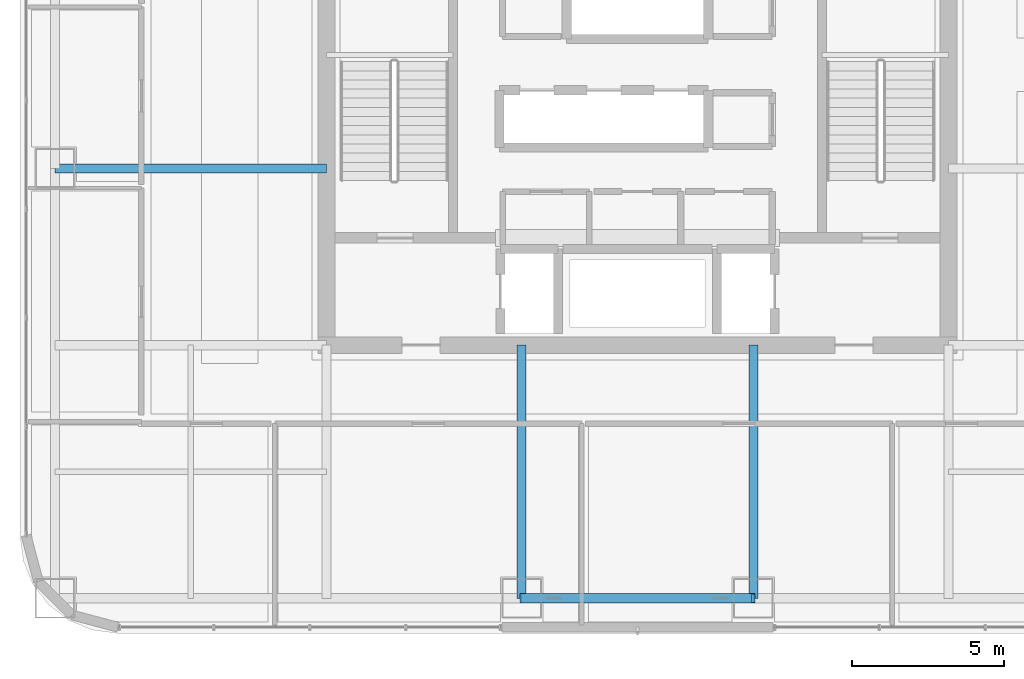
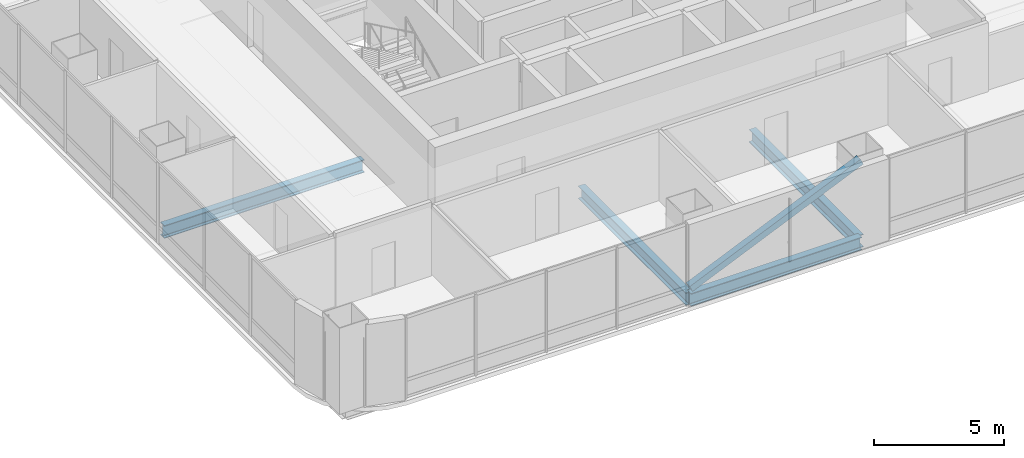
# One storey, part 5 of 44: 4 beams, 1 member.
"""IFC4 building model written with IfcOpenShell, lengths in metres."""

import ifcopenshell
import ifcopenshell.guid

model = None  # the IFC model being written
_history = None  # IfcOwnerHistory: only IFC2X3 demands one
_inside = {}  # id of a spatial element -> (the spatial element, [elements in it])
_under = {}  # id of a project, library or spatial element -> (it, [spatial elements below it])
_declared = {}  # id of a project -> (the project, [libraries it declares])
_typed = {}  # id of a type object -> (the type object, [elements of that type])
_made_of = {}  # id of a material, layer set ... -> (it, [elements and type objects made of it])


def new_model(schema):
    """Start an empty IFC model of exactly this schema.

    Asked for "IFC4X3", IfcOpenShell would pick the latest addendum, in which some entities
    have other attributes; the version numbers below select the first issue.
    IFC2X3 requires an IfcOwnerHistory on every rooted entity: one is made here for all.
    """
    global model, _history
    if schema == "IFC4X3":
        model = ifcopenshell.file(schema_version=(4, 3, 0, 0))
    else:
        model = ifcopenshell.file(schema=schema)
    _inside.clear()
    _under.clear()
    _declared.clear()
    _typed.clear()
    _made_of.clear()
    _history = None
    if model.schema == "IFC2X3":
        org = make("IfcOrganization", Name="unknown")
        user = make(
            "IfcPersonAndOrganization",
            ThePerson=make("IfcPerson", FamilyName="unknown"),
            TheOrganization=org,
        )
        app = make(
            "IfcApplication",
            ApplicationDeveloper=org,
            Version="unknown",
            ApplicationFullName="unknown",
            ApplicationIdentifier="unknown",
        )
        _history = make(
            "IfcOwnerHistory",
            OwningUser=user,
            OwningApplication=app,
            ChangeAction="ADDED",
            CreationDate=0,
        )
    return model


def make(cls, **values):
    """One entity of the class cls with the attributes given. An attribute that is None is left unset."""
    return model.create_entity(
        cls, **{name: value for name, value in values.items() if value is not None}
    )


def rooted(cls, **values):
    """An entity with a GlobalId (a new one), such as an element, a storey or a relation."""
    return make(cls, GlobalId=ifcopenshell.guid.new(), OwnerHistory=_history, **values)


def si_unit(unit_type, name, prefix=None):
    """IfcSIUnit, for example si_unit("LENGTHUNIT", "METRE", prefix="MILLI")."""
    return make("IfcSIUnit", UnitType=unit_type, Prefix=prefix, Name=name)


def assignment(units):
    """IfcUnitAssignment: the units of a project."""
    return None if units is None else make("IfcUnitAssignment", Units=units)


def point(xyz):
    """IfcCartesianPoint."""
    return None if xyz is None else make("IfcCartesianPoint", Coordinates=xyz)


def direction(xyz):
    """IfcDirection."""
    return None if xyz is None else make("IfcDirection", DirectionRatios=xyz)


def frame(location, z_axis=None, x_axis=None):
    """IfcAxis2Placement3D, a coordinate frame: its origin and axes. An axis left out is left unset."""
    return make(
        "IfcAxis2Placement3D",
        Location=point(location),
        Axis=direction(z_axis),
        RefDirection=direction(x_axis),
    )


def frame_2d(location, x_axis=None):
    """IfcAxis2Placement2D, a coordinate frame in the plane: its origin and x axis."""
    return make(
        "IfcAxis2Placement2D", Location=point(location), RefDirection=direction(x_axis)
    )


def origin():
    """The frame at (0, 0, 0) with its axes left unset."""
    return frame((0.0, 0.0, 0.0))


def origin_2d():
    """The frame at (0, 0) in the plane with its x axis left unset."""
    return frame_2d((0.0, 0.0))


def place(relative_to, where):
    """IfcLocalPlacement: puts the frame where relative to a parent placement (None: the world)."""
    return make(
        "IfcLocalPlacement", PlacementRelTo=relative_to, RelativePlacement=where
    )


def context(
    kind, dimensions, precision=None, world=None, true_north=None, identifier=None
):
    """IfcGeometricRepresentationContext, for example the 3D "Model" context."""
    return make(
        "IfcGeometricRepresentationContext",
        ContextIdentifier=identifier,
        ContextType=kind,
        CoordinateSpaceDimension=dimensions,
        Precision=precision,
        WorldCoordinateSystem=world,
        TrueNorth=true_north,
    )


def subcontext(parent, identifier, kind, view, scale=None):
    """IfcGeometricRepresentationSubContext, for example "Body" below "Model"."""
    return make(
        "IfcGeometricRepresentationSubContext",
        ContextIdentifier=identifier,
        ContextType=kind,
        ParentContext=parent,
        TargetScale=scale,
        TargetView=view,
    )


def project(units=None, contexts=None):
    """IfcProject with its units and contexts."""
    return rooted(
        "IfcProject",
        Name="project",
        RepresentationContexts=contexts,
        UnitsInContext=assignment(units),
    )


def spatial(cls, under=None, at=None, **own):
    """A site, building, storey or space (cls), placed at a placement, below another one or the project."""
    s = rooted(cls, ObjectPlacement=at, **own)
    if under is not None:
        _under.setdefault(under.id(), (under, []))[1].append(s)
    return s


def profile(cls, at=None, kind="AREA", **sizes):
    """A parametric profile (cls). Its sizes go by their IFC names, for example OverallWidth=200.0."""
    return make(cls, ProfileType=kind, Position=at, **sizes)


def hollow_rectangle(**sizes):
    """IfcRectangleHollowProfileDef."""
    return profile("IfcRectangleHollowProfileDef", **sizes)


def i_section(**sizes):
    """IfcIShapeProfileDef."""
    return profile("IfcIShapeProfileDef", **sizes)


def extrude(swept, where, along, depth):
    """IfcExtrudedAreaSolid: the profile swept, set in the frame where, extruded along a direction by depth."""
    return make(
        "IfcExtrudedAreaSolid",
        SweptArea=swept,
        Position=where,
        ExtrudedDirection=direction(along),
        Depth=depth,
    )


def shape(context_of_items, identifier, shape_type, items):
    """IfcShapeRepresentation: the items that make up one representation, for example the "Body"."""
    return make(
        "IfcShapeRepresentation",
        ContextOfItems=context_of_items,
        RepresentationIdentifier=identifier,
        RepresentationType=shape_type,
        Items=items,
    )


def material(Name=None, Category=None):
    """IfcMaterial."""
    return make("IfcMaterial", Name=Name, Category=Category)


def material_profile(
    of_material, cross_section, Name=None, Category=None, Priority=None
):
    """IfcMaterialProfile: a cross section and its material."""
    return make(
        "IfcMaterialProfile",
        Name=Name,
        Material=of_material,
        Profile=cross_section,
        Priority=Priority,
        Category=Category,
    )


def profile_set(profiles, Name=None, composite=None):
    """IfcMaterialProfileSet."""
    return make(
        "IfcMaterialProfileSet",
        Name=Name,
        MaterialProfiles=profiles,
        CompositeProfile=composite,
    )


def made_of(thing, what):
    """Note that an element or type object is made of a material, layer set ...; save() writes the relation."""
    if what is not None:
        _made_of.setdefault(what.id(), (what, []))[1].append(thing)
    return thing


def type_object(cls, material=None, **own):
    """A type object (cls), such as IfcWallType, which elements share."""
    return made_of(rooted(cls, **own), material)


def element(
    cls,
    number,
    at=None,
    inside=None,
    cuts=None,
    type_object=None,
    material=None,
    context=None,
    identifier="Body",
    shape_type=None,
    held_by="IfcProductDefinitionShape",
    body=None,
    shapes=None,
    **own,
):
    """One element of the class cls, such as IfcWall. Its Tag is "e" and its number.

    at: its placement. inside: the storey or other place that contains it. cuts: it is an
    opening in that element (IfcRelVoidsElement). A single representation is given by context,
    identifier, shape_type and body (its items); several are given by shapes. held_by: the class
    of the entity that holds the representations. save() writes the other relations.
    """
    e = rooted(cls, Tag="e%d" % number, ObjectPlacement=at, **own)
    if body is not None:
        shapes = [shape(context, identifier, shape_type, body)]
    if shapes is not None:
        e.Representation = make(held_by, Representations=shapes)
    if inside is not None:
        _inside.setdefault(inside.id(), (inside, []))[1].append(e)
    if cuts is not None:
        rooted(
            "IfcRelVoidsElement", RelatingBuildingElement=cuts, RelatedOpeningElement=e
        )
    if type_object is not None:
        _typed.setdefault(type_object.id(), (type_object, []))[1].append(e)
    return made_of(e, material)


def aggregate(whole, parts):
    """IfcRelAggregates: a whole, such as a stair, and the parts it consists of."""
    return rooted("IfcRelAggregates", RelatingObject=whole, RelatedObjects=parts)


def save(model, path):
    """Write the relations noted so far, then the file.

    IfcRelAggregates (storeys below a building ...), IfcRelContainedInSpatialStructure (elements
    in a storey), IfcRelDefinesByType, IfcRelAssociatesMaterial and IfcRelDeclares: one each for
    every whole, place, type object, material and project.
    """
    for whole, parts in _under.values():
        aggregate(whole, parts)
    for where, things in _inside.values():
        rooted(
            "IfcRelContainedInSpatialStructure",
            RelatedElements=things,
            RelatingStructure=where,
        )
    for kind, things in _typed.values():
        rooted("IfcRelDefinesByType", RelatedObjects=things, RelatingType=kind)
    for what, things in _made_of.values():
        rooted("IfcRelAssociatesMaterial", RelatedObjects=things, RelatingMaterial=what)
    for by, libraries in _declared.values():
        rooted("IfcRelDeclares", RelatingContext=by, RelatedDefinitions=libraries)
    model.write(path)


model = new_model("IFC4")

# Units and contexts
model_context = context("Model", 3, precision=1e-05, world=origin(), true_north=direction((0.0, 1.0)))
body_context = subcontext(model_context, "Body", "Model", "MODEL_VIEW")
ifc_project = project(units=[si_unit("LENGTHUNIT", "METRE"), si_unit("AREAUNIT", "SQUARE_METRE"), si_unit("VOLUMEUNIT", "CUBIC_METRE"), si_unit("PLANEANGLEUNIT", "RADIAN"), si_unit("MASSUNIT", "GRAM", prefix="KILO")], contexts=[model_context])

# Site, building, storey
site_placement = place(None, origin())
site = spatial("IfcSite", under=ifc_project, at=site_placement, CompositionType="ELEMENT")
building_placement = place(site_placement, origin())
building = spatial("IfcBuilding", under=site, at=building_placement, Name="Punatoya Terracotta Tower", CompositionType="ELEMENT")
storey_placement = place(building_placement, frame((0.0, 0.0, 267.60009765625)))
storey = spatial("IfcBuildingStorey", under=building, at=storey_placement, Name="L63", CompositionType="ELEMENT", Elevation=267.60009765625)

# Beams
ifc_material = material(Name="Steel S355", Category="steel")
ifc_material_profile_1 = material_profile(ifc_material, i_section(OverallWidth=0.300048828125, OverallDepth=0.60009765625, WebThickness=0.015380859375, FlangeThickness=0.030029296875, FilletRadius=0.01806640625, at=origin_2d()))
ifc_profile_set_1 = profile_set([ifc_material_profile_1], Name="Steel S355")
beam_type = type_object("IfcBeamType", Name="BM-PRI-600", PredefinedType="BEAM", material=ifc_profile_set_1)
beam_1_placement = place(storey_placement, frame((-3.800048828125, -17.5, -0.5), z_axis=(1.0, 0.0, 0.0), x_axis=(0.0, 1.0, 0.0)))
element("IfcBeam", 1, at=beam_1_placement, inside=storey, type_object=beam_type, Name="BM-L63-RG-S2", PredefinedType="BEAM", context=body_context, shape_type="SweptSolid", body=[
    extrude(i_section(OverallWidth=0.300048828125, OverallDepth=0.60009765625, WebThickness=0.015380859375, FlangeThickness=0.030029296875, FilletRadius=0.01806640625, at=origin_2d()), origin(), (0.0, 0.0, 1.0), 7.60009765625),
])
beam_2_placement = place(storey_placement, frame((-19.10009765625, -3.39990234375, -0.5), z_axis=(1.0, 0.0, 0.0), x_axis=(0.0, 1.0, 0.0)))
element("IfcBeam", 2, at=beam_2_placement, inside=storey, type_object=beam_type, Name="BM-L63-PR-WD", PredefinedType="BEAM", context=body_context, shape_type="SweptSolid", body=[
    extrude(i_section(OverallWidth=0.300048828125, OverallDepth=0.60009765625, WebThickness=0.015380859375, FlangeThickness=0.030029296875, FilletRadius=0.01806640625, at=origin_2d()), origin(), (0.0, 0.0, 1.0), 8.900146484375),
])
for number, where, z_axis, x_axis, name in (
    (3, (-3.800048828125, -17.5, -0.5), (0.0, 1.0, 0.0), (-1.0, 0.0, 0.0), "BM-L63-PR-S2"),
    (4, (3.800048828125, -17.5, -0.5), (0.0, 1.0, 0.0), (-1.0, 0.0, 0.0), "BM-L63-PR-S3"),
):
    element("IfcBeam", number, at=place(storey_placement, frame(where, z_axis=z_axis, x_axis=x_axis)), inside=storey, type_object=beam_type, Name=name, PredefinedType="BEAM", context=body_context, shape_type="SweptSolid", body=[
        extrude(i_section(OverallWidth=0.300048828125, OverallDepth=0.60009765625, WebThickness=0.015380859375, FlangeThickness=0.030029296875, FilletRadius=0.01806640625, at=origin_2d()), origin(), (0.0, 0.0, 1.0), 8.300048828125),
    ])

# Member
ifc_material_profile_2 = material_profile(ifc_material, hollow_rectangle(XDim=0.300048828125, YDim=0.300048828125, WallThickness=0.01611328125, at=origin_2d()))
ifc_profile_set_2 = profile_set([ifc_material_profile_2], Name="Steel S355")
member_type = type_object("IfcMemberType", Name="MEM-WND-300", PredefinedType="BRACE", material=ifc_profile_set_2)
member_placement = place(storey_placement, frame((-3.800048828125, -17.5, 0.02001953125), z_axis=(0.915945166505, 0.0, 0.401303441245), x_axis=(0.0, 1.0, 0.0)))
element("IfcMember", 5, at=member_placement, inside=storey, type_object=member_type, Name="L63 Perimeter Wind Brace S2", PredefinedType="BRACE", context=body_context, shape_type="SweptSolid", body=[
    extrude(hollow_rectangle(XDim=0.300048828125, YDim=0.300048828125, WallThickness=0.01611328125, at=origin_2d()), origin(), (0.0, 0.0, 1.0), 8.297607421875),
])

save(model, "model.ifc")
